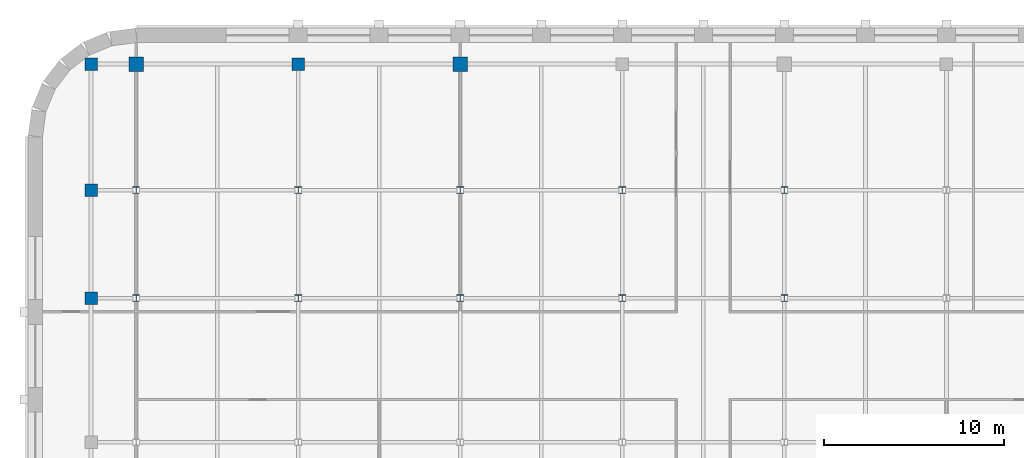
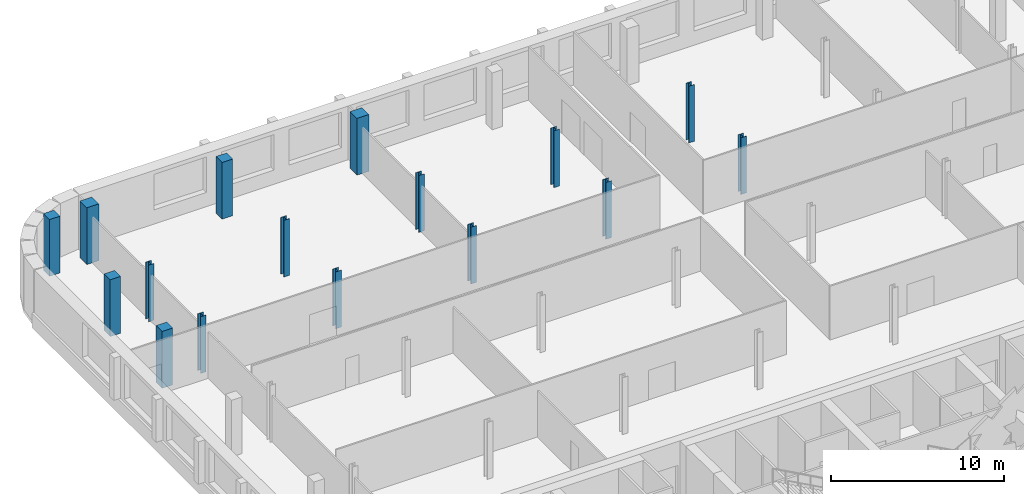
# One storey, part 3 of 14: 16 columns.
"""IFC4 building model written with IfcOpenShell, lengths in metres."""

from ifc_helpers import new_model, si_unit, direction, frame, origin, origin_2d, place, context, subcontext, project, spatial, rectangle, i_section, extrude, material, material_profile, profile_set, type_object, element, save


model = new_model("IFC4")

# Units and contexts
model_context = context("Model", 3, precision=1e-05, world=origin(), true_north=direction((0.0, 1.0)))
body_context = subcontext(model_context, "Body", "Model", "MODEL_VIEW")
ifc_project = project(units=[si_unit("LENGTHUNIT", "METRE"), si_unit("AREAUNIT", "SQUARE_METRE"), si_unit("VOLUMEUNIT", "CUBIC_METRE"), si_unit("PLANEANGLEUNIT", "RADIAN"), si_unit("MASSUNIT", "GRAM", prefix="KILO")], contexts=[model_context])

# Site, building, storey
site_placement = place(None, origin())
site = spatial("IfcSite", under=ifc_project, at=site_placement, CompositionType="ELEMENT")
building_placement = place(site_placement, origin())
building = spatial("IfcBuilding", under=site, at=building_placement, Name="Zellij Exchange Tower", CompositionType="ELEMENT")
storey_placement = place(building_placement, frame((0.0, 0.0, 288.5)))
storey = spatial("IfcBuildingStorey", under=building, at=storey_placement, Name="L68", CompositionType="ELEMENT", Elevation=288.5)

# Columns
ifc_material_1 = material(Name="Concrete C50/60", Category="concrete")
ifc_material_profile_1 = material_profile(ifc_material_1, rectangle(XDim=0.699951171875, YDim=0.699951171875, at=origin_2d()), Name="STR-COLUMN RC700x700 C50/60")
ifc_profile_set_1 = profile_set([ifc_material_profile_1], Name="Concrete C50/60")
column_type_1 = type_object("IfcColumnType", Name="STR-COLUMN RC700x700 C50/60", PredefinedType="COLUMN", material=ifc_profile_set_1)
for number, where, z_axis, x_axis, name in (
    (1, (-29.5, 22.0, 0.0), (0.0, 0.0, 1.0), (1.0, 0.0, 0.0), "C14"),
    (2, (-29.5, 28.0, 0.0), (0.0, 0.0, 1.0), (1.0, 0.0, 0.0), "C14"),
    (3, (-29.5, 35.0, 0.0), (0.0, 0.0, 1.0), (1.0, 0.0, 0.0), "C14"),
    (4, (-18.0, 35.0, 0.0), (0.0, 0.0, 1.0), (1.0, 0.0, 0.0), "C14"),
):
    element("IfcColumn", number, at=place(storey_placement, frame(where, z_axis=z_axis, x_axis=x_axis)), inside=storey, type_object=column_type_1, Name=name, PredefinedType="COLUMN", context=body_context, shape_type="SweptSolid", body=[
        extrude(rectangle(XDim=0.699951171875, YDim=0.699951171875, at=origin_2d()), origin(), (0.0, 0.0, 1.0), 4.0),
    ])
ifc_material_2 = material(Name="Structural steel ASTM A992 Gr 50", Category="steel")
ifc_material_profile_2 = material_profile(ifc_material_2, i_section(OverallWidth=0.368408203125, OverallDepth=0.355712890625, WebThickness=0.01123046875, FlangeThickness=0.01806640625, at=origin_2d()), Name="W14x90")
ifc_profile_set_2 = profile_set([ifc_material_profile_2], Name="Structural steel ASTM A992 Gr 50")
column_type_2 = type_object("IfcColumnType", Name="STR-COLUMN W14x90", PredefinedType="COLUMN", material=ifc_profile_set_2)
for number, where, z_axis, x_axis, name in (
    (5, (-27.0, 22.0, 0.0), (0.0, 0.0, 1.0), (1.0, 0.0, 0.0), "C8"),
    (6, (-18.0, 22.0, 0.0), (0.0, 0.0, 1.0), (1.0, 0.0, 0.0), "C8"),
    (7, (-9.0, 22.0, 0.0), (0.0, 0.0, 1.0), (1.0, 0.0, 0.0), "C8"),
    (8, (0.0, 22.0, 0.0), (0.0, 0.0, 1.0), (1.0, 0.0, 0.0), "C8"),
    (9, (9.0, 22.0, 0.0), (0.0, 0.0, 1.0), (1.0, 0.0, 0.0), "C8"),
    (10, (-27.0, 28.0, 0.0), (0.0, 0.0, 1.0), (1.0, 0.0, 0.0), "C8"),
    (11, (-18.0, 28.0, 0.0), (0.0, 0.0, 1.0), (1.0, 0.0, 0.0), "C8"),
    (12, (-9.0, 28.0, 0.0), (0.0, 0.0, 1.0), (1.0, 0.0, 0.0), "C8"),
    (13, (0.0, 28.0, 0.0), (0.0, 0.0, 1.0), (1.0, 0.0, 0.0), "C8"),
    (14, (9.0, 28.0, 0.0), (0.0, 0.0, 1.0), (1.0, 0.0, 0.0), "C8"),
):
    element("IfcColumn", number, at=place(storey_placement, frame(where, z_axis=z_axis, x_axis=x_axis)), inside=storey, type_object=column_type_2, Name=name, PredefinedType="COLUMN", context=body_context, shape_type="SweptSolid", body=[
        extrude(i_section(OverallWidth=0.368408203125, OverallDepth=0.355712890625, WebThickness=0.01123046875, FlangeThickness=0.01806640625, at=origin_2d()), origin(), (0.0, 0.0, 1.0), 4.0),
    ])
ifc_material_profile_3 = material_profile(ifc_material_1, rectangle(XDim=0.800048828125, YDim=0.800048828125, at=origin_2d()), Name="STR-MEGA COLUMN RC800x800 C50/60")
ifc_profile_set_3 = profile_set([ifc_material_profile_3], Name="Concrete C50/60")
column_type_3 = type_object("IfcColumnType", Name="STR-MEGA COLUMN RC800x800 C50/60", PredefinedType="COLUMN", material=ifc_profile_set_3)
for number, where, z_axis, x_axis, name in (
    (15, (-27.0, 35.0, 0.0), (0.0, 0.0, 1.0), (1.0, 0.0, 0.0), "MC10"),
    (16, (-9.0, 35.0, 0.0), (0.0, 0.0, 1.0), (1.0, 0.0, 0.0), "MC10"),
):
    element("IfcColumn", number, at=place(storey_placement, frame(where, z_axis=z_axis, x_axis=x_axis)), inside=storey, type_object=column_type_3, Name=name, PredefinedType="COLUMN", context=body_context, shape_type="SweptSolid", body=[
        extrude(rectangle(XDim=0.800048828125, YDim=0.800048828125, at=origin_2d()), origin(), (0.0, 0.0, 1.0), 4.0),
    ])

save(model, "model.ifc")
